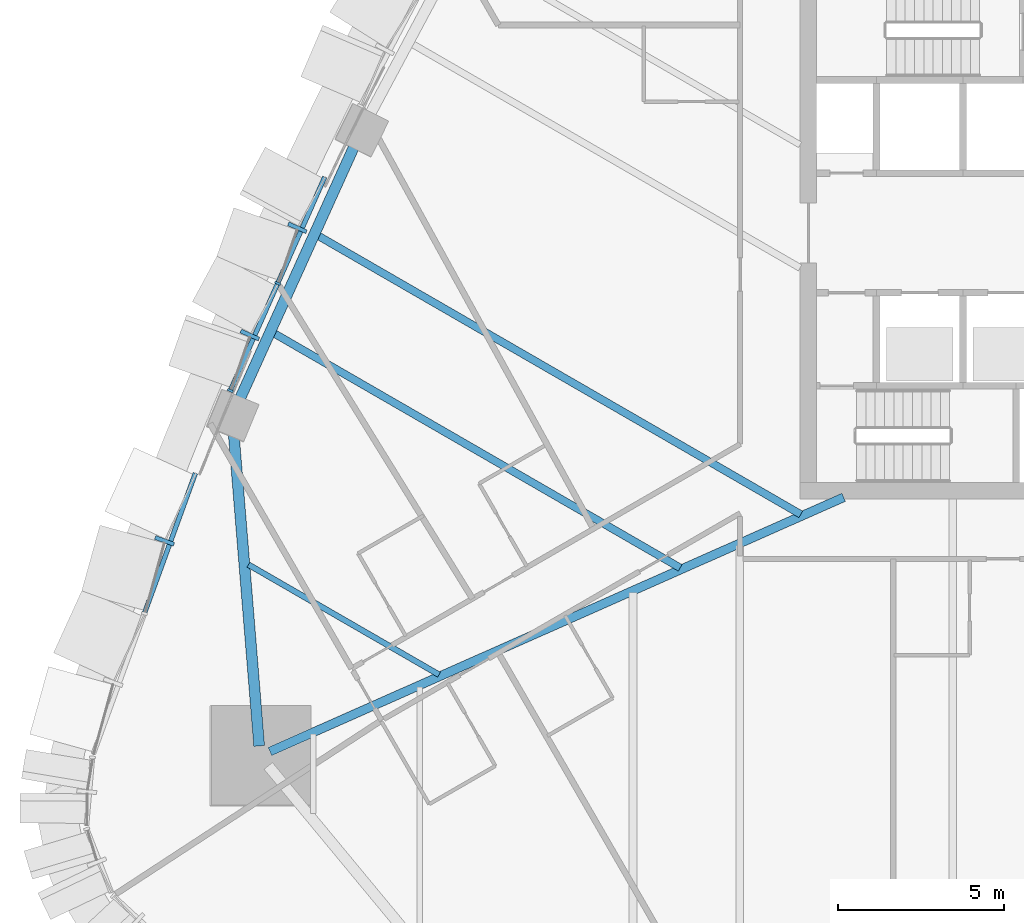
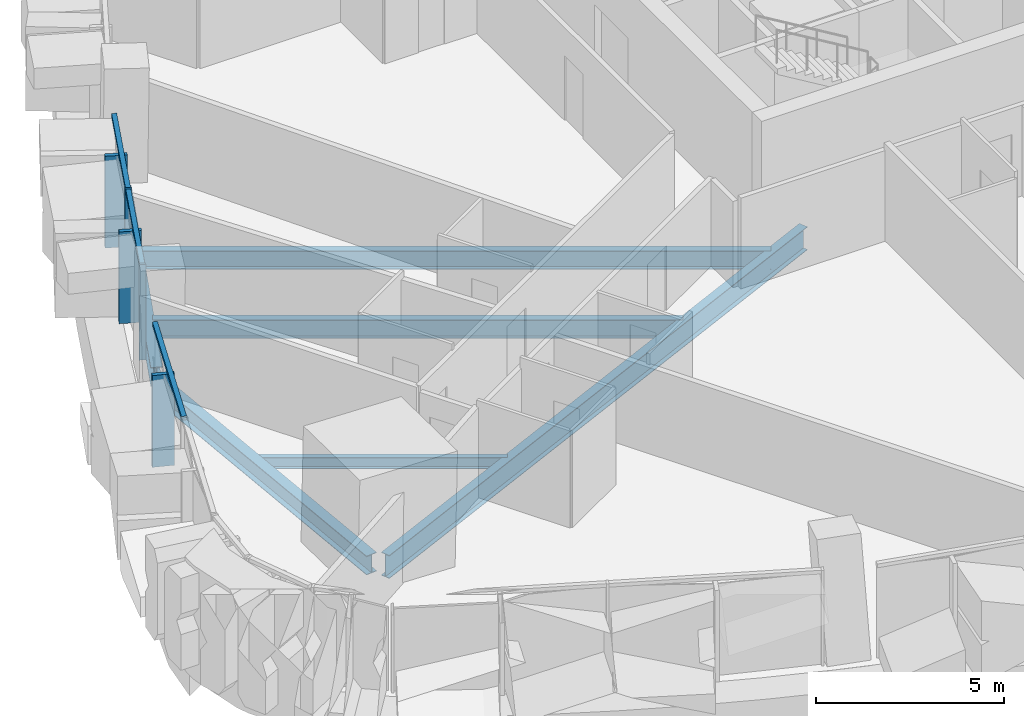
# One storey, part 3 of 27: 8 members, 6 beams, 2 elements without a shape of their own.
"""IFC4 building model written with IfcOpenShell, lengths in metres."""

import ifcopenshell
import ifcopenshell.guid

model = None  # the IFC model being written
_history = None  # IfcOwnerHistory: only IFC2X3 demands one
_inside = {}  # id of a spatial element -> (the spatial element, [elements in it])
_under = {}  # id of a project, library or spatial element -> (it, [spatial elements below it])
_declared = {}  # id of a project -> (the project, [libraries it declares])
_typed = {}  # id of a type object -> (the type object, [elements of that type])
_made_of = {}  # id of a material, layer set ... -> (it, [elements and type objects made of it])


def new_model(schema):
    """Start an empty IFC model of exactly this schema.

    Asked for "IFC4X3", IfcOpenShell would pick the latest addendum, in which some entities
    have other attributes; the version numbers below select the first issue.
    IFC2X3 requires an IfcOwnerHistory on every rooted entity: one is made here for all.
    """
    global model, _history
    if schema == "IFC4X3":
        model = ifcopenshell.file(schema_version=(4, 3, 0, 0))
    else:
        model = ifcopenshell.file(schema=schema)
    _inside.clear()
    _under.clear()
    _declared.clear()
    _typed.clear()
    _made_of.clear()
    _history = None
    if model.schema == "IFC2X3":
        org = make("IfcOrganization", Name="unknown")
        user = make(
            "IfcPersonAndOrganization",
            ThePerson=make("IfcPerson", FamilyName="unknown"),
            TheOrganization=org,
        )
        app = make(
            "IfcApplication",
            ApplicationDeveloper=org,
            Version="unknown",
            ApplicationFullName="unknown",
            ApplicationIdentifier="unknown",
        )
        _history = make(
            "IfcOwnerHistory",
            OwningUser=user,
            OwningApplication=app,
            ChangeAction="ADDED",
            CreationDate=0,
        )
    return model


def make(cls, **values):
    """One entity of the class cls with the attributes given. An attribute that is None is left unset."""
    return model.create_entity(
        cls, **{name: value for name, value in values.items() if value is not None}
    )


def rooted(cls, **values):
    """An entity with a GlobalId (a new one), such as an element, a storey or a relation."""
    return make(cls, GlobalId=ifcopenshell.guid.new(), OwnerHistory=_history, **values)


def si_unit(unit_type, name, prefix=None):
    """IfcSIUnit, for example si_unit("LENGTHUNIT", "METRE", prefix="MILLI")."""
    return make("IfcSIUnit", UnitType=unit_type, Prefix=prefix, Name=name)


def assignment(units):
    """IfcUnitAssignment: the units of a project."""
    return None if units is None else make("IfcUnitAssignment", Units=units)


def point(xyz):
    """IfcCartesianPoint."""
    return None if xyz is None else make("IfcCartesianPoint", Coordinates=xyz)


def direction(xyz):
    """IfcDirection."""
    return None if xyz is None else make("IfcDirection", DirectionRatios=xyz)


def frame(location, z_axis=None, x_axis=None):
    """IfcAxis2Placement3D, a coordinate frame: its origin and axes. An axis left out is left unset."""
    return make(
        "IfcAxis2Placement3D",
        Location=point(location),
        Axis=direction(z_axis),
        RefDirection=direction(x_axis),
    )


def frame_2d(location, x_axis=None):
    """IfcAxis2Placement2D, a coordinate frame in the plane: its origin and x axis."""
    return make(
        "IfcAxis2Placement2D", Location=point(location), RefDirection=direction(x_axis)
    )


def origin():
    """The frame at (0, 0, 0) with its axes left unset."""
    return frame((0.0, 0.0, 0.0))


def origin_2d():
    """The frame at (0, 0) in the plane with its x axis left unset."""
    return frame_2d((0.0, 0.0))


def place(relative_to, where):
    """IfcLocalPlacement: puts the frame where relative to a parent placement (None: the world)."""
    return make(
        "IfcLocalPlacement", PlacementRelTo=relative_to, RelativePlacement=where
    )


def context(
    kind, dimensions, precision=None, world=None, true_north=None, identifier=None
):
    """IfcGeometricRepresentationContext, for example the 3D "Model" context."""
    return make(
        "IfcGeometricRepresentationContext",
        ContextIdentifier=identifier,
        ContextType=kind,
        CoordinateSpaceDimension=dimensions,
        Precision=precision,
        WorldCoordinateSystem=world,
        TrueNorth=true_north,
    )


def subcontext(parent, identifier, kind, view, scale=None):
    """IfcGeometricRepresentationSubContext, for example "Body" below "Model"."""
    return make(
        "IfcGeometricRepresentationSubContext",
        ContextIdentifier=identifier,
        ContextType=kind,
        ParentContext=parent,
        TargetScale=scale,
        TargetView=view,
    )


def project(units=None, contexts=None):
    """IfcProject with its units and contexts."""
    return rooted(
        "IfcProject",
        Name="project",
        RepresentationContexts=contexts,
        UnitsInContext=assignment(units),
    )


def spatial(cls, under=None, at=None, **own):
    """A site, building, storey or space (cls), placed at a placement, below another one or the project."""
    s = rooted(cls, ObjectPlacement=at, **own)
    if under is not None:
        _under.setdefault(under.id(), (under, []))[1].append(s)
    return s


def profile(cls, at=None, kind="AREA", **sizes):
    """A parametric profile (cls). Its sizes go by their IFC names, for example OverallWidth=200.0."""
    return make(cls, ProfileType=kind, Position=at, **sizes)


def rectangle(**sizes):
    """IfcRectangleProfileDef."""
    return profile("IfcRectangleProfileDef", **sizes)


def i_section(**sizes):
    """IfcIShapeProfileDef."""
    return profile("IfcIShapeProfileDef", **sizes)


def extrude(swept, where, along, depth):
    """IfcExtrudedAreaSolid: the profile swept, set in the frame where, extruded along a direction by depth."""
    return make(
        "IfcExtrudedAreaSolid",
        SweptArea=swept,
        Position=where,
        ExtrudedDirection=direction(along),
        Depth=depth,
    )


def shape(context_of_items, identifier, shape_type, items):
    """IfcShapeRepresentation: the items that make up one representation, for example the "Body"."""
    return make(
        "IfcShapeRepresentation",
        ContextOfItems=context_of_items,
        RepresentationIdentifier=identifier,
        RepresentationType=shape_type,
        Items=items,
    )


def material(Name=None, Category=None):
    """IfcMaterial."""
    return make("IfcMaterial", Name=Name, Category=Category)


def layer(
    of_material, thickness, ventilated=None, Name=None, Category=None, Priority=None
):
    """IfcMaterialLayer: one layer of a wall or slab, of a material (None: an air gap)."""
    return make(
        "IfcMaterialLayer",
        Material=of_material,
        LayerThickness=thickness,
        IsVentilated=ventilated,
        Name=Name,
        Category=Category,
        Priority=Priority,
    )


def layer_set(layers, Name=None):
    """IfcMaterialLayerSet."""
    return make("IfcMaterialLayerSet", MaterialLayers=layers, LayerSetName=Name)


def material_profile(
    of_material, cross_section, Name=None, Category=None, Priority=None
):
    """IfcMaterialProfile: a cross section and its material."""
    return make(
        "IfcMaterialProfile",
        Name=Name,
        Material=of_material,
        Profile=cross_section,
        Priority=Priority,
        Category=Category,
    )


def profile_set(profiles, Name=None, composite=None):
    """IfcMaterialProfileSet."""
    return make(
        "IfcMaterialProfileSet",
        Name=Name,
        MaterialProfiles=profiles,
        CompositeProfile=composite,
    )


def made_of(thing, what):
    """Note that an element or type object is made of a material, layer set ...; save() writes the relation."""
    if what is not None:
        _made_of.setdefault(what.id(), (what, []))[1].append(thing)
    return thing


def type_object(cls, material=None, **own):
    """A type object (cls), such as IfcWallType, which elements share."""
    return made_of(rooted(cls, **own), material)


def element(
    cls,
    number,
    at=None,
    inside=None,
    cuts=None,
    type_object=None,
    material=None,
    context=None,
    identifier="Body",
    shape_type=None,
    held_by="IfcProductDefinitionShape",
    body=None,
    shapes=None,
    **own,
):
    """One element of the class cls, such as IfcWall. Its Tag is "e" and its number.

    at: its placement. inside: the storey or other place that contains it. cuts: it is an
    opening in that element (IfcRelVoidsElement). A single representation is given by context,
    identifier, shape_type and body (its items); several are given by shapes. held_by: the class
    of the entity that holds the representations. save() writes the other relations.
    """
    e = rooted(cls, Tag="e%d" % number, ObjectPlacement=at, **own)
    if body is not None:
        shapes = [shape(context, identifier, shape_type, body)]
    if shapes is not None:
        e.Representation = make(held_by, Representations=shapes)
    if inside is not None:
        _inside.setdefault(inside.id(), (inside, []))[1].append(e)
    if cuts is not None:
        rooted(
            "IfcRelVoidsElement", RelatingBuildingElement=cuts, RelatedOpeningElement=e
        )
    if type_object is not None:
        _typed.setdefault(type_object.id(), (type_object, []))[1].append(e)
    return made_of(e, material)


def aggregate(whole, parts):
    """IfcRelAggregates: a whole, such as a stair, and the parts it consists of."""
    return rooted("IfcRelAggregates", RelatingObject=whole, RelatedObjects=parts)


def save(model, path):
    """Write the relations noted so far, then the file.

    IfcRelAggregates (storeys below a building ...), IfcRelContainedInSpatialStructure (elements
    in a storey), IfcRelDefinesByType, IfcRelAssociatesMaterial and IfcRelDeclares: one each for
    every whole, place, type object, material and project.
    """
    for whole, parts in _under.values():
        aggregate(whole, parts)
    for where, things in _inside.values():
        rooted(
            "IfcRelContainedInSpatialStructure",
            RelatedElements=things,
            RelatingStructure=where,
        )
    for kind, things in _typed.values():
        rooted("IfcRelDefinesByType", RelatedObjects=things, RelatingType=kind)
    for what, things in _made_of.values():
        rooted("IfcRelAssociatesMaterial", RelatedObjects=things, RelatingMaterial=what)
    for by, libraries in _declared.values():
        rooted("IfcRelDeclares", RelatingContext=by, RelatedDefinitions=libraries)
    model.write(path)


model = new_model("IFC4")

# Units and contexts
model_context = context("Model", 3, precision=1e-05, world=origin(), true_north=direction((0.0, 1.0)))
body_context = subcontext(model_context, "Body", "Model", "MODEL_VIEW")
ifc_project = project(units=[si_unit("LENGTHUNIT", "METRE"), si_unit("AREAUNIT", "SQUARE_METRE"), si_unit("VOLUMEUNIT", "CUBIC_METRE"), si_unit("PLANEANGLEUNIT", "RADIAN"), si_unit("MASSUNIT", "GRAM", prefix="KILO")], contexts=[model_context])

# Site, building, storey
site_placement = place(None, origin())
site = spatial("IfcSite", under=ifc_project, at=site_placement, CompositionType="ELEMENT")
building_placement = place(site_placement, origin())
building = spatial("IfcBuilding", under=site, at=building_placement, Name="Sierra Prisma Convention Tower", CompositionType="ELEMENT")
storey_placement = place(building_placement, frame((0.0, 0.0, 48.0)))
storey = spatial("IfcBuildingStorey", under=building, at=storey_placement, Name="L07", CompositionType="ELEMENT", Elevation=48.0)

# Curtain wall, members
ifc_material_1 = material(Name="Aluminium and glass curtain wall", Category="aluminium")
ifc_layer = layer(ifc_material_1, 0.179931640625)
ifc_layer_set = layer_set([ifc_layer], Name="CW-2 Faceted crystal curtain wall")
curtain_wall_type = type_object("IfcCurtainWallType", Name="CW-2 Faceted crystal curtain wall", PredefinedType="NOTDEFINED", material=ifc_layer_set)
curtain_wall_1_placement = place(storey_placement, origin())
curtain_wall_1 = element("IfcCurtainWall", 1, at=curtain_wall_1_placement, inside=storey, type_object=curtain_wall_type, Name="CW-2 NW5 L07", PredefinedType="NOTDEFINED")
ifc_material_2 = material(Name="Aluminium 6063-T6 bronze anodised", Category="aluminium")
ifc_material_profile_1 = material_profile(ifc_material_2, rectangle(XDim=0.1201171875, YDim=0.60009765625, at=origin_2d()), Name="ALU RIDGE BLADE 120x600")
ifc_profile_set_1 = profile_set([ifc_material_profile_1], Name="Aluminium 6063-T6 bronze anodised")
member_type_1 = type_object("IfcMemberType", Name="CW hip bronze", PredefinedType="MULLION", material=ifc_profile_set_1)
member_1_placement = place(storey_placement, frame((-26.118408203125, 0.1552734375, 0.0), z_axis=(0.0, 0.0, 1.0), x_axis=(-0.404506226551, -0.914535244089, 0.0)))
member_1 = element("IfcMember", 2, at=member_1_placement, type_object=member_type_1, Name="CW-2 ridge NW5.1", PredefinedType="MULLION", context=body_context, shape_type="SweptSolid", body=[
    extrude(rectangle(XDim=0.1201171875, YDim=0.60009765625, at=origin_2d()), origin(), (0.0, 0.0, 1.0), 2.97998046875),
])
member_2_placement = place(storey_placement, frame((-27.545654296875, -3.071533203125, 0.0), z_axis=(0.0, 0.0, 1.0), x_axis=(-0.404506226551, -0.914535244089, 0.0)))
member_2 = element("IfcMember", 3, at=member_2_placement, type_object=member_type_1, Name="CW-2 ridge NW5.2", PredefinedType="MULLION", context=body_context, shape_type="SweptSolid", body=[
    extrude(rectangle(XDim=0.1201171875, YDim=0.60009765625, at=origin_2d()), origin(), (0.0, 0.0, 1.0), 2.97998046875),
])

# Curtain wall, member
curtain_wall_2_placement = place(storey_placement, origin())
curtain_wall_2 = element("IfcCurtainWall", 4, at=curtain_wall_2_placement, inside=storey, type_object=curtain_wall_type, Name="CW-2 NW6 L07", PredefinedType="NOTDEFINED")
member_3_placement = place(storey_placement, frame((-30.111572265625, -9.2607421875, 0.0), z_axis=(0.0, 0.0, 1.0), x_axis=(-0.341729844272, -0.939798230225, 0.0)))
member_3 = element("IfcMember", 5, at=member_3_placement, type_object=member_type_1, Name="CW-2 ridge NW6.1", PredefinedType="MULLION", context=body_context, shape_type="SweptSolid", body=[
    extrude(rectangle(XDim=0.1201171875, YDim=0.60009765625, at=origin_2d()), origin(), (0.0, 0.0, 1.0), 2.97998046875),
])

# Member
ifc_material_3 = material(Name="Aluminium 6063-T6 bronze anodised", Category="aluminium")
ifc_material_profile_2 = material_profile(ifc_material_3, rectangle(XDim=0.179931640625, YDim=0.070068359375, at=origin_2d()), Name="ALU MULLION 70x180")
ifc_profile_set_2 = profile_set([ifc_material_profile_2], Name="Aluminium 6063-T6 bronze anodised")
member_type_2 = type_object("IfcMemberType", Name="CW mullion bronze", PredefinedType="MULLION", material=ifc_profile_set_2)
member_4_placement = place(storey_placement, frame((-26.707763671875, -1.51318359375, 0.0), z_axis=(0.0, 0.0, 1.0), x_axis=(0.914535244089, -0.404506226551, 0.0)))
member_4 = element("IfcMember", 6, at=member_4_placement, type_object=member_type_2, Name="CW-1 mullion NW5.2", PredefinedType="MULLION", context=body_context, shape_type="SweptSolid", body=[
    extrude(rectangle(XDim=0.179931640625, YDim=0.070068359375, at=origin_2d()), origin(), (0.0, 0.0, 1.0), 3.10009765625),
])

member_5_placement = place(storey_placement, frame((-28.135009765625, -4.739990234375, 0.0), z_axis=(0.0, 0.0, 1.0), x_axis=(0.914535244089, -0.404506226551, 0.0)))
member_5 = element("IfcMember", 7, at=member_5_placement, type_object=member_type_2, Name="CW-1 mullion NW5.3", PredefinedType="MULLION", context=body_context, shape_type="SweptSolid", body=[
    extrude(rectangle(XDim=0.179931640625, YDim=0.070068359375, at=origin_2d()), origin(), (0.0, 0.0, 1.0), 3.10009765625),
])

ifc_material_4 = material(Name="Aluminium 6063-T6 bronze anodised", Category="aluminium")
ifc_material_profile_3 = material_profile(ifc_material_4, rectangle(XDim=0.139892578125, YDim=0.1201171875, at=origin_2d()), Name="ALU TRANSOM 120x140")
ifc_profile_set_3 = profile_set([ifc_material_profile_3], Name="Aluminium 6063-T6 bronze anodised")
member_type_3 = type_object("IfcMemberType", Name="CW transom bronze", PredefinedType="USERDEFINED", material=ifc_profile_set_3)
member_6_placement = place(storey_placement, frame((-25.294677734375, 1.681640625, 3.0400390625), z_axis=(-0.4045003376, -0.914537848797, 0.0), x_axis=(0.914537848797, -0.4045003376, 0.0)))
member_6 = element("IfcMember", 8, at=member_6_placement, type_object=member_type_3, Name="CW-1 transom NW5.1", ObjectType="TRANSOM", PredefinedType="USERDEFINED", context=body_context, shape_type="SweptSolid", body=[
    extrude(rectangle(XDim=0.139892578125, YDim=0.1201171875, at=origin_2d()), origin(), (0.0, 0.0, 1.0), 3.45849609375),
])

member_7_placement = place(storey_placement, frame((-26.721923828125, -1.545166015625, 3.0400390625), z_axis=(-0.4045003376, -0.914537848797, 0.0), x_axis=(0.914537848797, -0.4045003376, 0.0)))
member_7 = element("IfcMember", 9, at=member_7_placement, type_object=member_type_3, Name="CW-1 transom NW5.2", ObjectType="TRANSOM", PredefinedType="USERDEFINED", context=body_context, shape_type="SweptSolid", body=[
    extrude(rectangle(XDim=0.139892578125, YDim=0.1201171875, at=origin_2d()), origin(), (0.0, 0.0, 1.0), 3.45849609375),
])

aggregate(curtain_wall_1, [member_4, member_5, member_6, member_1, member_7, member_2])

member_8_placement = place(storey_placement, frame((-29.185302734375, -7.226806640625, 3.0400390625), z_axis=(-0.341769457319, -0.939783825166, 0.0), x_axis=(0.939783825166, -0.341769457319, 0.0)))
member_8 = element("IfcMember", 10, at=member_8_placement, type_object=member_type_3, Name="CW-1 transom NW6.1", ObjectType="TRANSOM", PredefinedType="USERDEFINED", context=body_context, shape_type="SweptSolid", body=[
    extrude(rectangle(XDim=0.139892578125, YDim=0.1201171875, at=origin_2d()), origin(), (0.0, 0.0, 1.0), 4.4560546875),
])

aggregate(curtain_wall_2, [member_8, member_3])

# Beams
ifc_material_5 = material(Name="Steel ASTM A992 Gr 50", Category="steel")
ifc_material_profile_4 = material_profile(ifc_material_5, i_section(OverallWidth=0.172119140625, OverallDepth=0.35791015625, WebThickness=0.0078125, FlangeThickness=0.01318359375, at=origin_2d()), Name="W360x57")
ifc_profile_set_4 = profile_set([ifc_material_profile_4], Name="Steel ASTM A992 Gr 50")
beam_type_1 = type_object("IfcBeamType", Name="Floor joist W360x57", PredefinedType="JOIST", material=ifc_profile_set_4)
beam_1_placement = place(storey_placement, frame((-27.589599609375, -9.97607421875, -0.3291015625), z_axis=(0.866020934237, -0.500007741404, 0.0), x_axis=(0.500007741404, 0.866020934237, 0.0)))
element("IfcBeam", 11, at=beam_1_placement, inside=storey, type_object=beam_type_1, Name="Floor joist L07 NW16", PredefinedType="JOIST", context=body_context, shape_type="SweptSolid", body=[
    extrude(i_section(OverallWidth=0.172119140625, OverallDepth=0.35791015625, WebThickness=0.0078125, FlangeThickness=0.01318359375, at=origin_2d()), origin(), (0.0, 0.0, 1.0), 6.61767578125),
])
ifc_material_6 = material(Name="Steel ASTM A992 Gr 50", Category="steel")
ifc_material_profile_5 = material_profile(ifc_material_6, i_section(OverallWidth=0.22802734375, OverallDepth=0.60302734375, WebThickness=0.010498046875, FlangeThickness=0.014892578125, at=origin_2d()), Name="W610x101")
ifc_profile_set_5 = profile_set([ifc_material_profile_5], Name="Steel ASTM A992 Gr 50")
beam_type_2 = type_object("IfcBeamType", Name="Floor joist W610x101", PredefinedType="JOIST", material=ifc_profile_set_5)
beam_2_placement = place(storey_placement, frame((-25.500732421875, -0.080078125, -0.451416015625), z_axis=(0.866025080442, -0.500000560044, 0.0), x_axis=(0.500000560044, 0.866025080442, 0.0)))
element("IfcBeam", 12, at=beam_2_placement, inside=storey, type_object=beam_type_2, Name="Floor joist L07 NW13", PredefinedType="JOIST", context=body_context, shape_type="SweptSolid", body=[
    extrude(i_section(OverallWidth=0.22802734375, OverallDepth=0.60302734375, WebThickness=0.010498046875, FlangeThickness=0.014892578125, at=origin_2d()), origin(), (0.0, 0.0, 1.0), 16.7685546875),
])
beam_3_placement = place(storey_placement, frame((-26.828369140625, -3.01416015625, -0.451416015625), z_axis=(0.866018222293, -0.500012438502, 0.0), x_axis=(0.500012438502, 0.866018222293, 0.0)))
element("IfcBeam", 13, at=beam_3_placement, inside=storey, type_object=beam_type_2, Name="Floor joist L07 NW14", PredefinedType="JOIST", context=body_context, shape_type="SweptSolid", body=[
    extrude(i_section(OverallWidth=0.22802734375, OverallDepth=0.60302734375, WebThickness=0.010498046875, FlangeThickness=0.014892578125, at=origin_2d()), origin(), (0.0, 0.0, 1.0), 14.114013671875),
])
ifc_material_7 = material(Name="Steel ASTM A992 Gr 50", Category="steel")
ifc_material_profile_6 = material_profile(ifc_material_7, i_section(OverallWidth=0.264892578125, OverallDepth=0.7529296875, WebThickness=0.01318359375, FlangeThickness=0.01708984375, at=origin_2d()), Name="W760x147")
ifc_profile_set_6 = profile_set([ifc_material_profile_6], Name="Steel ASTM A992 Gr 50")
beam_type_3 = type_object("IfcBeamType", Name="Radial girder W760x147", PredefinedType="BEAM", material=ifc_profile_set_6)
beam_4_placement = place(storey_placement, frame((-26.94189453125, -15.59521484375, -0.526611328125), z_axis=(0.914275670549, 0.40509257984, 0.0), x_axis=(-0.40509257984, 0.914275670549, 0.0)))
element("IfcBeam", 14, at=beam_4_placement, inside=storey, type_object=beam_type_3, Name="Radial girder L07 SW", PredefinedType="BEAM", context=body_context, shape_type="SweptSolid", body=[
    extrude(i_section(OverallWidth=0.264892578125, OverallDepth=0.7529296875, WebThickness=0.01318359375, FlangeThickness=0.01708984375, at=origin_2d()), origin(), (0.0, 0.0, 1.0), 18.869384765625),
])
ifc_material_8 = material(Name="Steel ASTM A992 Gr 50", Category="steel")
ifc_material_profile_7 = material_profile(ifc_material_8, i_section(OverallWidth=0.324951171875, OverallDepth=0.615966796875, WebThickness=0.013916015625, FlangeThickness=0.021484375, at=origin_2d()), Name="W610x174")
ifc_profile_set_7 = profile_set([ifc_material_profile_7], Name="Steel ASTM A992 Gr 50")
beam_type_4 = type_object("IfcBeamType", Name="Spandrel beam W610x174", PredefinedType="BEAM", material=ifc_profile_set_7)
beam_5_placement = place(storey_placement, frame((-24.38916015625, 2.650390625, -0.4580078125), z_axis=(-0.412224868512, -0.911082135584, 0.0), x_axis=(0.911082135584, -0.412224868512, 0.0)))
element("IfcBeam", 15, at=beam_5_placement, inside=storey, type_object=beam_type_4, Name="Spandrel L07-17", PredefinedType="BEAM", context=body_context, shape_type="SweptSolid", body=[
    extrude(i_section(OverallWidth=0.324951171875, OverallDepth=0.615966796875, WebThickness=0.013916015625, FlangeThickness=0.021484375, at=origin_2d()), origin(), (0.0, 0.0, 1.0), 8.465576171875),
])
beam_6_placement = place(storey_placement, frame((-28.03173828125, -6.05224609375, -0.4580078125), z_axis=(0.081363587914, -0.996684486968, 0.0), x_axis=(0.996684486968, 0.081363587914, 0.0)))
element("IfcBeam", 16, at=beam_6_placement, inside=storey, type_object=beam_type_4, Name="Spandrel L07-18", PredefinedType="BEAM", context=body_context, shape_type="SweptSolid", body=[
    extrude(i_section(OverallWidth=0.324951171875, OverallDepth=0.615966796875, WebThickness=0.013916015625, FlangeThickness=0.021484375, at=origin_2d()), origin(), (0.0, 0.0, 1.0), 9.406982421875),
])

save(model, "model.ifc")
